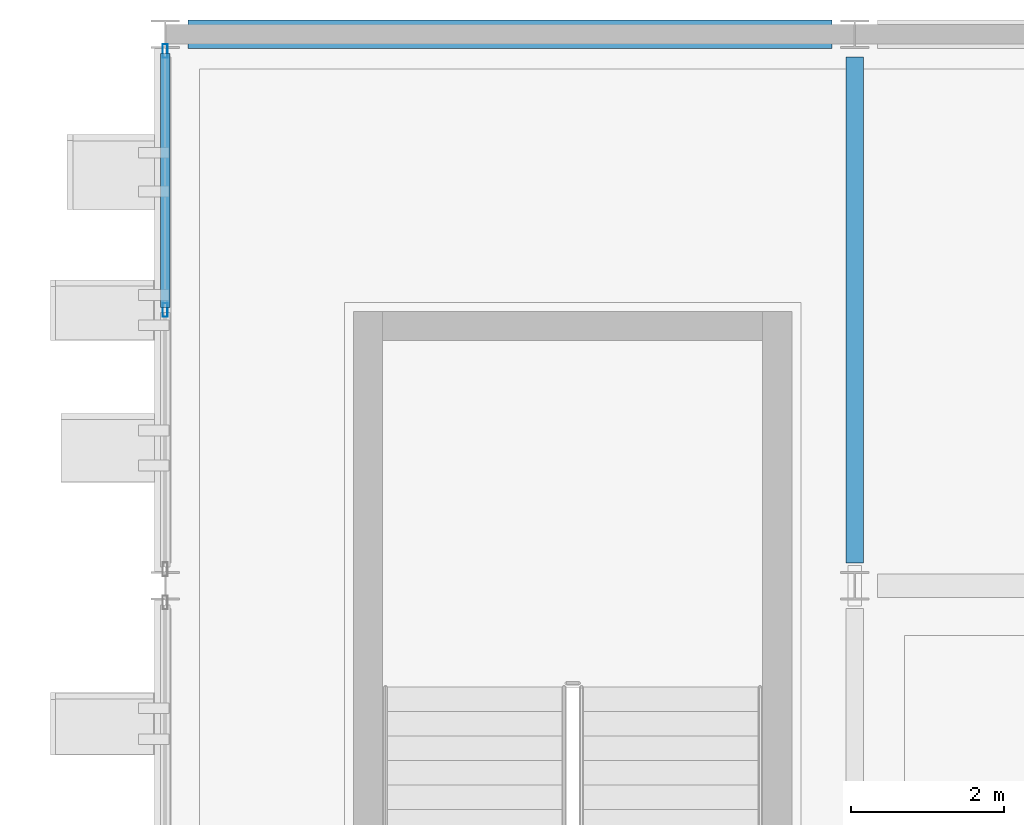
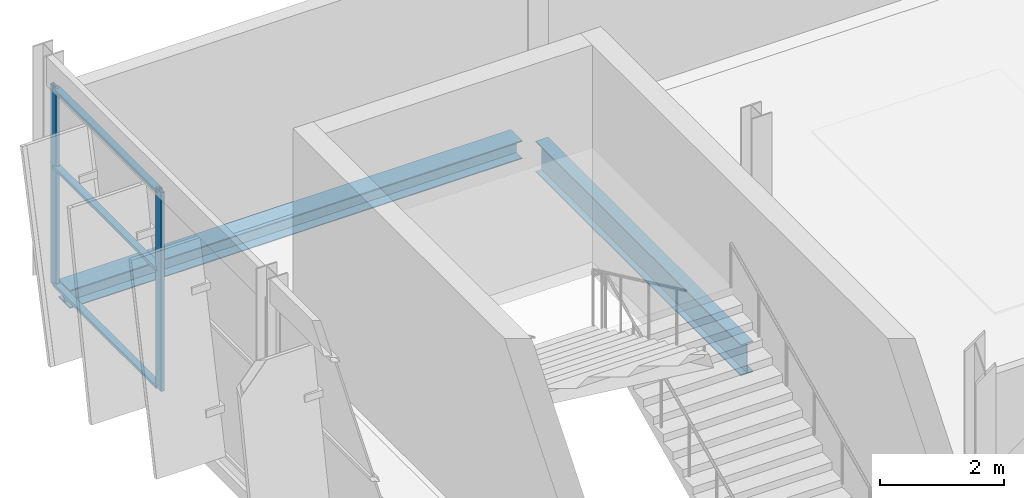
# One storey, part 32 of 78: 5 members, 2 beams, 1 element without a shape of its own.
"""IFC4 building model written with IfcOpenShell, lengths in metres."""

from ifc_helpers import new_model, si_unit, direction, frame, origin, origin_2d, place, context, subcontext, project, spatial, hollow_rectangle, i_section, extrude, material, layer, layer_set, material_profile, profile_set, type_object, element, aggregate, save


model = new_model("IFC4")

# Units and contexts
model_context = context("Model", 3, precision=1e-05, world=origin(), true_north=direction((0.0, 1.0)))
body_context = subcontext(model_context, "Body", "Model", "MODEL_VIEW")
ifc_project = project(units=[si_unit("LENGTHUNIT", "METRE"), si_unit("AREAUNIT", "SQUARE_METRE"), si_unit("VOLUMEUNIT", "CUBIC_METRE"), si_unit("PLANEANGLEUNIT", "RADIAN"), si_unit("MASSUNIT", "GRAM", prefix="KILO")], contexts=[model_context])

# Site, building, storey
site_placement = place(None, origin())
site = spatial("IfcSite", under=ifc_project, at=site_placement, CompositionType="ELEMENT")
building_placement = place(site_placement, origin())
building = spatial("IfcBuilding", under=site, at=building_placement, Name="Celestram Park Convention Centre", CompositionType="ELEMENT")
storey_placement = place(building_placement, frame((0.0, 0.0, 19.800048828125)))
storey = spatial("IfcBuildingStorey", under=building, at=storey_placement, Name="L04", CompositionType="ELEMENT", Elevation=19.800048828125)

# Curtain wall, members
ifc_material_1 = material(Name="Anodised Aluminium Alloy 6063-T6", Category="aluminium")
ifc_layer = layer(ifc_material_1, 0.179931640625)
ifc_layer_set = layer_set([ifc_layer], Name="Anodised Aluminium Alloy 6063-T6")
curtain_wall_type = type_object("IfcCurtainWallType", Name="ARC-CW-683X390", PredefinedType="NOTDEFINED", material=ifc_layer_set)
curtain_wall_placement = place(storey_placement, origin())
curtain_wall = element("IfcCurtainWall", 1, at=curtain_wall_placement, inside=storey, type_object=curtain_wall_type, Name="Unitised curtain wall CU-L04-236", PredefinedType="NOTDEFINED")
ifc_material_profile_1 = material_profile(ifc_material_1, hollow_rectangle(XDim=0.06494140625, YDim=0.179931640625, WallThickness=0.00390625, at=origin_2d()), Name="ALU65X180X4")
ifc_profile_set_1 = profile_set([ifc_material_profile_1], Name="Anodised Aluminium Alloy 6063-T6")
member_type_1 = type_object("IfcMemberType", Name="ARC-CWM-150", PredefinedType="MULLION", material=ifc_profile_set_1)
member_1_placement = place(storey_placement, frame((36.0, 162.0, 0.0), z_axis=(0.0, 0.0, 1.0), x_axis=(-1.0, 0.0, 0.0)))
member_1 = element("IfcMember", 2, at=member_1_placement, type_object=member_type_1, Name="CW-68X39 mullion 2", PredefinedType="MULLION", context=body_context, shape_type="SweptSolid", body=[
    extrude(hollow_rectangle(XDim=0.06494140625, YDim=0.179931640625, WallThickness=0.00390625, at=origin_2d()), origin(), (0.0, 0.0, 1.0), 3.904052734375),
])
member_2_placement = place(storey_placement, frame((36.0, 165.383056640625, 0.0), z_axis=(0.0, 0.0, 1.0), x_axis=(-1.0, 0.0, 0.0)))
member_2 = element("IfcMember", 3, at=member_2_placement, type_object=member_type_1, Name="CW-68X39 mullion 3", PredefinedType="MULLION", context=body_context, shape_type="SweptSolid", body=[
    extrude(hollow_rectangle(XDim=0.06494140625, YDim=0.179931640625, WallThickness=0.00390625, at=origin_2d()), origin(), (0.0, 0.0, 1.0), 3.904052734375),
])
ifc_material_profile_2 = material_profile(ifc_material_1, hollow_rectangle(XDim=0.1201171875, YDim=0.06005859375, WallThickness=0.0029296875, at=origin_2d()), Name="ALU120X60X3")
ifc_profile_set_2 = profile_set([ifc_material_profile_2], Name="Anodised Aluminium Alloy 6063-T6")
member_type_2 = type_object("IfcMemberType", Name="ARC-CWT-120", PredefinedType="USERDEFINED", material=ifc_profile_set_2)
member_3_placement = place(storey_placement, frame((36.0, 162.032470703125, 0.030029296875), z_axis=(0.0, 1.0, 0.0), x_axis=(-1.0, 0.0, 0.0)))
member_3 = element("IfcMember", 4, at=member_3_placement, type_object=member_type_2, Name="CW-68X39 transom 2.1", ObjectType="TRANSOM", PredefinedType="USERDEFINED", context=body_context, shape_type="SweptSolid", body=[
    extrude(hollow_rectangle(XDim=0.1201171875, YDim=0.06005859375, WallThickness=0.0029296875, at=origin_2d()), origin(), (0.0, 0.0, 1.0), 3.318115234375),
])
member_4_placement = place(storey_placement, frame((36.0, 162.032470703125, 2.342041015625), z_axis=(0.0, 1.0, 0.0), x_axis=(-1.0, 0.0, 0.0)))
member_4 = element("IfcMember", 5, at=member_4_placement, type_object=member_type_2, Name="CW-68X39 transom 2.2", ObjectType="TRANSOM", PredefinedType="USERDEFINED", context=body_context, shape_type="SweptSolid", body=[
    extrude(hollow_rectangle(XDim=0.1201171875, YDim=0.06005859375, WallThickness=0.0029296875, at=origin_2d()), origin(), (0.0, 0.0, 1.0), 3.318115234375),
])
member_5_placement = place(storey_placement, frame((36.0, 162.032470703125, 3.8740234375), z_axis=(0.0, 1.0, 0.0), x_axis=(-1.0, 0.0, 0.0)))
member_5 = element("IfcMember", 6, at=member_5_placement, type_object=member_type_2, Name="CW-68X39 transom 2.3", ObjectType="TRANSOM", PredefinedType="USERDEFINED", context=body_context, shape_type="SweptSolid", body=[
    extrude(hollow_rectangle(XDim=0.1201171875, YDim=0.06005859375, WallThickness=0.0029296875, at=origin_2d()), origin(), (0.0, 0.0, 1.0), 3.318115234375),
])
aggregate(curtain_wall, [member_1, member_2, member_3, member_4, member_5])

# Beams
ifc_material_2 = material(Name="Steel ASTM A992 Grade 50", Category="steel")
ifc_material_profile_3 = material_profile(ifc_material_2, i_section(OverallWidth=0.22900390625, OverallDepth=0.612060546875, WebThickness=0.011962890625, FlangeThickness=0.01953125, at=origin_2d()), Name="W24X84")
ifc_profile_set_3 = profile_set([ifc_material_profile_3], Name="Steel ASTM A992 Grade 50")
beam_type_1 = type_object("IfcBeamType", Name="STR-BM-W24X84", PredefinedType="BEAM", material=ifc_profile_set_3)
beam_1_placement = place(storey_placement, frame((45.0, 158.697998046875, -0.55615234375), z_axis=(0.0, 1.0, 0.0), x_axis=(-1.0, 0.0, 0.0)))
element("IfcBeam", 7, at=beam_1_placement, inside=storey, type_object=beam_type_1, Name="Primary Y-girder BG-L04-0029", PredefinedType="BEAM", context=body_context, shape_type="SweptSolid", body=[
    extrude(i_section(OverallWidth=0.22900390625, OverallDepth=0.612060546875, WebThickness=0.011962890625, FlangeThickness=0.01953125, at=origin_2d()), origin(), (0.0, 0.0, 1.0), 6.60400390625),
])
ifc_material_profile_4 = material_profile(ifc_material_2, i_section(OverallWidth=0.367919921875, OverallDepth=0.35595703125, WebThickness=0.01123046875, FlangeThickness=0.01806640625, at=origin_2d()), Name="W14X90")
ifc_profile_set_4 = profile_set([ifc_material_profile_4], Name="Steel ASTM A992 Grade 50")
beam_type_2 = type_object("IfcBeamType", Name="STR-SPN-W14X90", PredefinedType="SPANDREL", material=ifc_profile_set_4)
beam_2_placement = place(storey_placement, frame((36.298095703125, 165.60009765625, -0.427978515625), z_axis=(1.0, 0.0, 0.0), x_axis=(0.0, 1.0, 0.0)))
element("IfcBeam", 8, at=beam_2_placement, inside=storey, type_object=beam_type_2, Name="Primary X-girder BG-L04-0014", PredefinedType="SPANDREL", context=body_context, shape_type="SweptSolid", body=[
    extrude(i_section(OverallWidth=0.367919921875, OverallDepth=0.35595703125, WebThickness=0.01123046875, FlangeThickness=0.01806640625, at=origin_2d()), origin(), (0.0, 0.0, 1.0), 8.40380859375),
])

save(model, "model.ifc")
